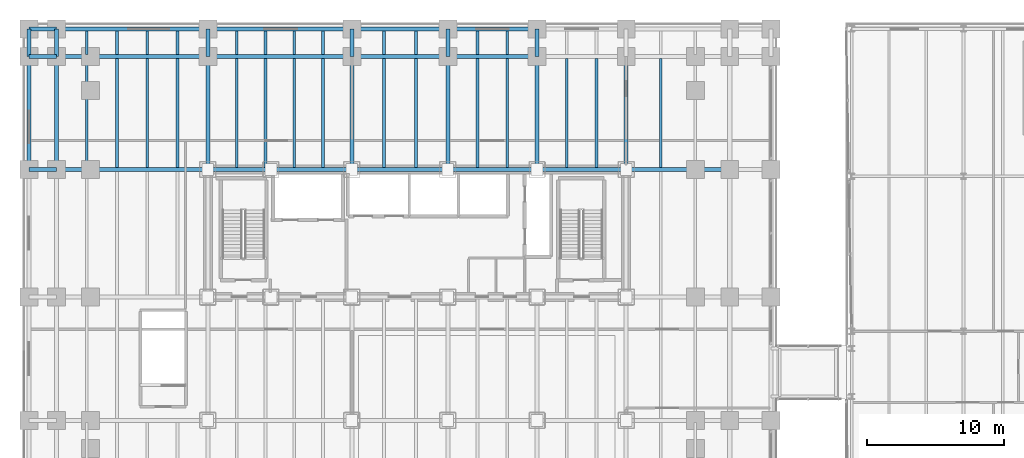
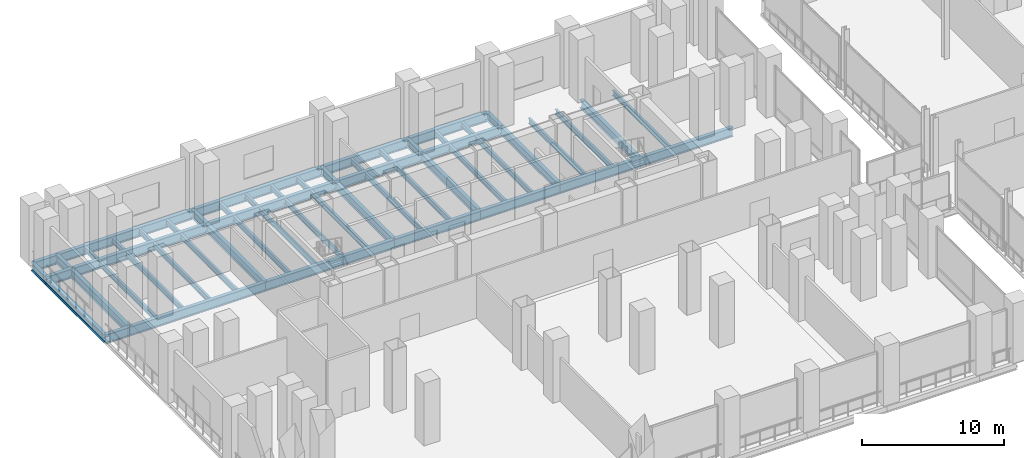
# One storey, part 17 of 30: 57 beams.
"""IFC4 building model written with IfcOpenShell, lengths in metres."""

from ifc_helpers import new_model, si_unit, direction, frame, origin, origin_2d, place, context, subcontext, project, spatial, i_section, extrude, material, material_profile, profile_set, type_object, element, save


model = new_model("IFC4")

# Units and contexts
model_context = context("Model", 3, precision=1e-05, world=origin(), true_north=direction((0.0, 1.0)))
body_context = subcontext(model_context, "Body", "Model", "MODEL_VIEW")
ifc_project = project(units=[si_unit("LENGTHUNIT", "METRE"), si_unit("AREAUNIT", "SQUARE_METRE"), si_unit("VOLUMEUNIT", "CUBIC_METRE"), si_unit("PLANEANGLEUNIT", "RADIAN"), si_unit("MASSUNIT", "GRAM", prefix="KILO")], contexts=[model_context])

# Site, building, storey
site_placement = place(None, origin())
site = spatial("IfcSite", under=ifc_project, at=site_placement, CompositionType="ELEMENT")
building_placement = place(site_placement, origin())
building = spatial("IfcBuilding", under=site, at=building_placement, Name="Noeulbin Bourse Tower", CompositionType="ELEMENT")
storey_placement = place(building_placement, frame((0.0, 0.0, 16.60009765625)))
storey = spatial("IfcBuildingStorey", under=building, at=storey_placement, Name="L04", CompositionType="ELEMENT", Elevation=16.60009765625)

# Beams
ifc_material = material(Name="Steel S355", Category="steel")
ifc_material_profile_1 = material_profile(ifc_material, i_section(OverallWidth=0.300048828125, OverallDepth=0.699951171875, WebThickness=0.012939453125, FlangeThickness=0.02392578125, FilletRadius=0.02392578125, at=origin_2d()), Name="H-700x300x13x24", Category="LoadBearing")
ifc_profile_set_1 = profile_set([ifc_material_profile_1], Name="Steel S355")
beam_type_1 = type_object("IfcBeamType", Name="BM-GRD-700", PredefinedType="USERDEFINED", material=ifc_profile_set_1)
beam_1_placement = place(storey_placement, frame((0.449951171875, 38.300048828125, -0.60009765625), z_axis=(0.0, 1.0, 0.0), x_axis=(-1.0, 0.0, 0.0)))
element("IfcBeam", 1, at=beam_1_placement, inside=storey, type_object=beam_type_1, Name="Podium Primary Girder NS L04-061", ObjectType="GIRDER", PredefinedType="USERDEFINED", context=body_context, shape_type="SweptSolid", body=[
    extrude(i_section(OverallWidth=0.300048828125, OverallDepth=0.699951171875, WebThickness=0.012939453125, FlangeThickness=0.02392578125, FilletRadius=0.02392578125, at=origin_2d()), origin(), (0.0, 0.0, 1.0), 8.25),
])
beam_2_placement = place(storey_placement, frame((0.449951171875, 46.550048828125, -0.60009765625), z_axis=(0.0, 1.0, 0.0), x_axis=(-1.0, 0.0, 0.0)))
element("IfcBeam", 2, at=beam_2_placement, inside=storey, type_object=beam_type_1, Name="Podium Primary Girder NS L04-062", ObjectType="GIRDER", PredefinedType="USERDEFINED", context=body_context, shape_type="SweptSolid", body=[
    extrude(i_section(OverallWidth=0.300048828125, OverallDepth=0.699951171875, WebThickness=0.012939453125, FlangeThickness=0.02392578125, FilletRadius=0.02392578125, at=origin_2d()), origin(), (0.0, 0.0, 1.0), 2.0),
])
beam_3_placement = place(storey_placement, frame((2.449951171875, 38.300048828125, -0.60009765625), z_axis=(0.0, 1.0, 0.0), x_axis=(-1.0, 0.0, 0.0)))
element("IfcBeam", 3, at=beam_3_placement, inside=storey, type_object=beam_type_1, Name="Podium Primary Girder NS L04-067", ObjectType="GIRDER", PredefinedType="USERDEFINED", context=body_context, shape_type="SweptSolid", body=[
    extrude(i_section(OverallWidth=0.300048828125, OverallDepth=0.699951171875, WebThickness=0.012939453125, FlangeThickness=0.02392578125, FilletRadius=0.02392578125, at=origin_2d()), origin(), (0.0, 0.0, 1.0), 8.25),
])
beam_4_placement = place(storey_placement, frame((2.449951171875, 46.550048828125, -0.60009765625), z_axis=(0.0, 1.0, 0.0), x_axis=(-1.0, 0.0, 0.0)))
element("IfcBeam", 4, at=beam_4_placement, inside=storey, type_object=beam_type_1, Name="Podium Primary Girder NS L04-068", ObjectType="GIRDER", PredefinedType="USERDEFINED", context=body_context, shape_type="SweptSolid", body=[
    extrude(i_section(OverallWidth=0.300048828125, OverallDepth=0.699951171875, WebThickness=0.012939453125, FlangeThickness=0.02392578125, FilletRadius=0.02392578125, at=origin_2d()), origin(), (0.0, 0.0, 1.0), 2.0),
])
beam_5_placement = place(storey_placement, frame((13.5, 38.300048828125, -0.60009765625), z_axis=(0.0, 1.0, 0.0), x_axis=(-1.0, 0.0, 0.0)))
element("IfcBeam", 5, at=beam_5_placement, inside=storey, type_object=beam_type_1, Name="Podium Primary Girder NS L04-073", ObjectType="GIRDER", PredefinedType="USERDEFINED", context=body_context, shape_type="SweptSolid", body=[
    extrude(i_section(OverallWidth=0.300048828125, OverallDepth=0.699951171875, WebThickness=0.012939453125, FlangeThickness=0.02392578125, FilletRadius=0.02392578125, at=origin_2d()), origin(), (0.0, 0.0, 1.0), 8.25),
])
beam_6_placement = place(storey_placement, frame((13.5, 46.550048828125, -0.60009765625), z_axis=(0.0, 1.0, 0.0), x_axis=(-1.0, 0.0, 0.0)))
element("IfcBeam", 6, at=beam_6_placement, inside=storey, type_object=beam_type_1, Name="Podium Primary Girder NS L04-074", ObjectType="GIRDER", PredefinedType="USERDEFINED", context=body_context, shape_type="SweptSolid", body=[
    extrude(i_section(OverallWidth=0.300048828125, OverallDepth=0.699951171875, WebThickness=0.012939453125, FlangeThickness=0.02392578125, FilletRadius=0.02392578125, at=origin_2d()), origin(), (0.0, 0.0, 1.0), 2.0),
])
beam_7_placement = place(storey_placement, frame((24.0, 38.300048828125, -0.60009765625), z_axis=(0.0, 1.0, 0.0), x_axis=(-1.0, 0.0, 0.0)))
element("IfcBeam", 7, at=beam_7_placement, inside=storey, type_object=beam_type_1, Name="Podium Primary Girder NS L04-078", ObjectType="GIRDER", PredefinedType="USERDEFINED", context=body_context, shape_type="SweptSolid", body=[
    extrude(i_section(OverallWidth=0.300048828125, OverallDepth=0.699951171875, WebThickness=0.012939453125, FlangeThickness=0.02392578125, FilletRadius=0.02392578125, at=origin_2d()), origin(), (0.0, 0.0, 1.0), 8.25),
])
beam_8_placement = place(storey_placement, frame((24.0, 46.550048828125, -0.60009765625), z_axis=(0.0, 1.0, 0.0), x_axis=(-1.0, 0.0, 0.0)))
element("IfcBeam", 8, at=beam_8_placement, inside=storey, type_object=beam_type_1, Name="Podium Primary Girder NS L04-079", ObjectType="GIRDER", PredefinedType="USERDEFINED", context=body_context, shape_type="SweptSolid", body=[
    extrude(i_section(OverallWidth=0.300048828125, OverallDepth=0.699951171875, WebThickness=0.012939453125, FlangeThickness=0.02392578125, FilletRadius=0.02392578125, at=origin_2d()), origin(), (0.0, 0.0, 1.0), 2.0),
])
beam_9_placement = place(storey_placement, frame((31.0, 38.300048828125, -0.60009765625), z_axis=(0.0, 1.0, 0.0), x_axis=(-1.0, 0.0, 0.0)))
element("IfcBeam", 9, at=beam_9_placement, inside=storey, type_object=beam_type_1, Name="Podium Primary Girder NS L04-083", ObjectType="GIRDER", PredefinedType="USERDEFINED", context=body_context, shape_type="SweptSolid", body=[
    extrude(i_section(OverallWidth=0.300048828125, OverallDepth=0.699951171875, WebThickness=0.012939453125, FlangeThickness=0.02392578125, FilletRadius=0.02392578125, at=origin_2d()), origin(), (0.0, 0.0, 1.0), 8.25),
])
beam_10_placement = place(storey_placement, frame((31.0, 46.550048828125, -0.60009765625), z_axis=(0.0, 1.0, 0.0), x_axis=(-1.0, 0.0, 0.0)))
element("IfcBeam", 10, at=beam_10_placement, inside=storey, type_object=beam_type_1, Name="Podium Primary Girder NS L04-084", ObjectType="GIRDER", PredefinedType="USERDEFINED", context=body_context, shape_type="SweptSolid", body=[
    extrude(i_section(OverallWidth=0.300048828125, OverallDepth=0.699951171875, WebThickness=0.012939453125, FlangeThickness=0.02392578125, FilletRadius=0.02392578125, at=origin_2d()), origin(), (0.0, 0.0, 1.0), 2.0),
])
beam_11_placement = place(storey_placement, frame((37.5, 38.300048828125, -0.60009765625), z_axis=(0.0, 1.0, 0.0), x_axis=(-1.0, 0.0, 0.0)))
element("IfcBeam", 11, at=beam_11_placement, inside=storey, type_object=beam_type_1, Name="Podium Primary Girder NS L04-088", ObjectType="GIRDER", PredefinedType="USERDEFINED", context=body_context, shape_type="SweptSolid", body=[
    extrude(i_section(OverallWidth=0.300048828125, OverallDepth=0.699951171875, WebThickness=0.012939453125, FlangeThickness=0.02392578125, FilletRadius=0.02392578125, at=origin_2d()), origin(), (0.0, 0.0, 1.0), 8.25),
])
beam_12_placement = place(storey_placement, frame((37.5, 46.550048828125, -0.60009765625), z_axis=(0.0, 1.0, 0.0), x_axis=(-1.0, 0.0, 0.0)))
element("IfcBeam", 12, at=beam_12_placement, inside=storey, type_object=beam_type_1, Name="Podium Primary Girder NS L04-089", ObjectType="GIRDER", PredefinedType="USERDEFINED", context=body_context, shape_type="SweptSolid", body=[
    extrude(i_section(OverallWidth=0.300048828125, OverallDepth=0.699951171875, WebThickness=0.012939453125, FlangeThickness=0.02392578125, FilletRadius=0.02392578125, at=origin_2d()), origin(), (0.0, 0.0, 1.0), 2.0),
])
beam_13_placement = place(storey_placement, frame((44.0, 38.300048828125, -0.60009765625), z_axis=(0.0, 1.0, 0.0), x_axis=(-1.0, 0.0, 0.0)))
element("IfcBeam", 13, at=beam_13_placement, inside=storey, type_object=beam_type_1, Name="Podium Primary Girder NS L04-094", ObjectType="GIRDER", PredefinedType="USERDEFINED", context=body_context, shape_type="SweptSolid", body=[
    extrude(i_section(OverallWidth=0.300048828125, OverallDepth=0.699951171875, WebThickness=0.012939453125, FlangeThickness=0.02392578125, FilletRadius=0.02392578125, at=origin_2d()), origin(), (0.0, 0.0, 1.0), 8.25),
])
ifc_material_profile_2 = material_profile(ifc_material, i_section(OverallWidth=0.300048828125, OverallDepth=0.800048828125, WebThickness=0.013916015625, FlangeThickness=0.02587890625, FilletRadius=0.02587890625, at=origin_2d()), Name="H-800x300x14x26", Category="LoadBearing")
ifc_profile_set_2 = profile_set([ifc_material_profile_2], Name="Steel S355")
beam_type_2 = type_object("IfcBeamType", Name="BM-GRD-800", PredefinedType="USERDEFINED", material=ifc_profile_set_2)
beam_14_placement = place(storey_placement, frame((0.449951171875, 38.300048828125, -0.650146484375), z_axis=(1.0, 0.0, 0.0), x_axis=(0.0, 1.0, 0.0)))
element("IfcBeam", 14, at=beam_14_placement, inside=storey, type_object=beam_type_2, Name="Podium Primary Girder EW L04-033", ObjectType="GIRDER", PredefinedType="USERDEFINED", context=body_context, shape_type="SweptSolid", body=[
    extrude(i_section(OverallWidth=0.300048828125, OverallDepth=0.800048828125, WebThickness=0.013916015625, FlangeThickness=0.02587890625, FilletRadius=0.02587890625, at=origin_2d()), origin(), (0.0, 0.0, 1.0), 2.0),
])
beam_15_placement = place(storey_placement, frame((2.449951171875, 38.300048828125, -0.650146484375), z_axis=(1.0, 0.0, 0.0), x_axis=(0.0, 1.0, 0.0)))
element("IfcBeam", 15, at=beam_15_placement, inside=storey, type_object=beam_type_2, Name="Podium Primary Girder EW L04-034", ObjectType="GIRDER", PredefinedType="USERDEFINED", context=body_context, shape_type="SweptSolid", body=[
    extrude(i_section(OverallWidth=0.300048828125, OverallDepth=0.800048828125, WebThickness=0.013916015625, FlangeThickness=0.02587890625, FilletRadius=0.02587890625, at=origin_2d()), origin(), (0.0, 0.0, 1.0), 11.050048828125),
])
beam_16_placement = place(storey_placement, frame((13.5, 38.300048828125, -0.650146484375), z_axis=(1.0, 0.0, 0.0), x_axis=(0.0, 1.0, 0.0)))
element("IfcBeam", 16, at=beam_16_placement, inside=storey, type_object=beam_type_2, Name="Podium Primary Girder EW L04-035", ObjectType="GIRDER", PredefinedType="USERDEFINED", context=body_context, shape_type="SweptSolid", body=[
    extrude(i_section(OverallWidth=0.300048828125, OverallDepth=0.800048828125, WebThickness=0.013916015625, FlangeThickness=0.02587890625, FilletRadius=0.02587890625, at=origin_2d()), origin(), (0.0, 0.0, 1.0), 10.5),
])
beam_17_placement = place(storey_placement, frame((24.0, 38.300048828125, -0.650146484375), z_axis=(1.0, 0.0, 0.0), x_axis=(0.0, 1.0, 0.0)))
element("IfcBeam", 17, at=beam_17_placement, inside=storey, type_object=beam_type_2, Name="Podium Primary Girder EW L04-036", ObjectType="GIRDER", PredefinedType="USERDEFINED", context=body_context, shape_type="SweptSolid", body=[
    extrude(i_section(OverallWidth=0.300048828125, OverallDepth=0.800048828125, WebThickness=0.013916015625, FlangeThickness=0.02587890625, FilletRadius=0.02587890625, at=origin_2d()), origin(), (0.0, 0.0, 1.0), 7.0),
])
for number, where, z_axis, x_axis, name in (
    (18, (31.0, 38.300048828125, -0.650146484375), (1.0, 0.0, 0.0), (0.0, 1.0, 0.0), "Podium Primary Girder EW L04-037"),
    (19, (37.5, 38.300048828125, -0.650146484375), (1.0, 0.0, 0.0), (0.0, 1.0, 0.0), "Podium Primary Girder EW L04-038"),
):
    element("IfcBeam", number, at=place(storey_placement, frame(where, z_axis=z_axis, x_axis=x_axis)), inside=storey, type_object=beam_type_2, Name=name, ObjectType="GIRDER", PredefinedType="USERDEFINED", context=body_context, shape_type="SweptSolid", body=[
        extrude(i_section(OverallWidth=0.300048828125, OverallDepth=0.800048828125, WebThickness=0.013916015625, FlangeThickness=0.02587890625, FilletRadius=0.02587890625, at=origin_2d()), origin(), (0.0, 0.0, 1.0), 6.5),
    ])
beam_18_placement = place(storey_placement, frame((44.0, 38.300048828125, -0.650146484375), z_axis=(1.0, 0.0, 0.0), x_axis=(0.0, 1.0, 0.0)))
element("IfcBeam", 20, at=beam_18_placement, inside=storey, type_object=beam_type_2, Name="Podium Primary Girder EW L04-039", ObjectType="GIRDER", PredefinedType="USERDEFINED", context=body_context, shape_type="SweptSolid", body=[
    extrude(i_section(OverallWidth=0.300048828125, OverallDepth=0.800048828125, WebThickness=0.013916015625, FlangeThickness=0.02587890625, FilletRadius=0.02587890625, at=origin_2d()), origin(), (0.0, 0.0, 1.0), 7.550048828125),
])
beam_19_placement = place(storey_placement, frame((0.449951171875, 46.550048828125, -0.650146484375), z_axis=(1.0, 0.0, 0.0), x_axis=(0.0, 1.0, 0.0)))
element("IfcBeam", 21, at=beam_19_placement, inside=storey, type_object=beam_type_2, Name="Podium Primary Girder EW L04-041", ObjectType="GIRDER", PredefinedType="USERDEFINED", context=body_context, shape_type="SweptSolid", body=[
    extrude(i_section(OverallWidth=0.300048828125, OverallDepth=0.800048828125, WebThickness=0.013916015625, FlangeThickness=0.02587890625, FilletRadius=0.02587890625, at=origin_2d()), origin(), (0.0, 0.0, 1.0), 2.0),
])
beam_20_placement = place(storey_placement, frame((2.449951171875, 46.550048828125, -0.650146484375), z_axis=(1.0, 0.0, 0.0), x_axis=(0.0, 1.0, 0.0)))
element("IfcBeam", 22, at=beam_20_placement, inside=storey, type_object=beam_type_2, Name="Podium Primary Girder EW L04-042", ObjectType="GIRDER", PredefinedType="USERDEFINED", context=body_context, shape_type="SweptSolid", body=[
    extrude(i_section(OverallWidth=0.300048828125, OverallDepth=0.800048828125, WebThickness=0.013916015625, FlangeThickness=0.02587890625, FilletRadius=0.02587890625, at=origin_2d()), origin(), (0.0, 0.0, 1.0), 11.050048828125),
])
beam_21_placement = place(storey_placement, frame((13.5, 46.550048828125, -0.650146484375), z_axis=(1.0, 0.0, 0.0), x_axis=(0.0, 1.0, 0.0)))
element("IfcBeam", 23, at=beam_21_placement, inside=storey, type_object=beam_type_2, Name="Podium Primary Girder EW L04-043", ObjectType="GIRDER", PredefinedType="USERDEFINED", context=body_context, shape_type="SweptSolid", body=[
    extrude(i_section(OverallWidth=0.300048828125, OverallDepth=0.800048828125, WebThickness=0.013916015625, FlangeThickness=0.02587890625, FilletRadius=0.02587890625, at=origin_2d()), origin(), (0.0, 0.0, 1.0), 10.5),
])
beam_22_placement = place(storey_placement, frame((24.0, 46.550048828125, -0.650146484375), z_axis=(1.0, 0.0, 0.0), x_axis=(0.0, 1.0, 0.0)))
element("IfcBeam", 24, at=beam_22_placement, inside=storey, type_object=beam_type_2, Name="Podium Primary Girder EW L04-044", ObjectType="GIRDER", PredefinedType="USERDEFINED", context=body_context, shape_type="SweptSolid", body=[
    extrude(i_section(OverallWidth=0.300048828125, OverallDepth=0.800048828125, WebThickness=0.013916015625, FlangeThickness=0.02587890625, FilletRadius=0.02587890625, at=origin_2d()), origin(), (0.0, 0.0, 1.0), 7.0),
])
beam_23_placement = place(storey_placement, frame((31.0, 46.550048828125, -0.650146484375), z_axis=(1.0, 0.0, 0.0), x_axis=(0.0, 1.0, 0.0)))
element("IfcBeam", 25, at=beam_23_placement, inside=storey, type_object=beam_type_2, Name="Podium Primary Girder EW L04-045", ObjectType="GIRDER", PredefinedType="USERDEFINED", context=body_context, shape_type="SweptSolid", body=[
    extrude(i_section(OverallWidth=0.300048828125, OverallDepth=0.800048828125, WebThickness=0.013916015625, FlangeThickness=0.02587890625, FilletRadius=0.02587890625, at=origin_2d()), origin(), (0.0, 0.0, 1.0), 6.5),
])
beam_24_placement = place(storey_placement, frame((0.449951171875, 48.550048828125, -0.650146484375), z_axis=(1.0, 0.0, 0.0), x_axis=(0.0, 1.0, 0.0)))
element("IfcBeam", 26, at=beam_24_placement, inside=storey, type_object=beam_type_2, Name="Podium Primary Girder EW L04-049", ObjectType="GIRDER", PredefinedType="USERDEFINED", context=body_context, shape_type="SweptSolid", body=[
    extrude(i_section(OverallWidth=0.300048828125, OverallDepth=0.800048828125, WebThickness=0.013916015625, FlangeThickness=0.02587890625, FilletRadius=0.02587890625, at=origin_2d()), origin(), (0.0, 0.0, 1.0), 2.0),
])
beam_25_placement = place(storey_placement, frame((2.449951171875, 48.550048828125, -0.650146484375), z_axis=(1.0, 0.0, 0.0), x_axis=(0.0, 1.0, 0.0)))
element("IfcBeam", 27, at=beam_25_placement, inside=storey, type_object=beam_type_2, Name="Podium Primary Girder EW L04-050", ObjectType="GIRDER", PredefinedType="USERDEFINED", context=body_context, shape_type="SweptSolid", body=[
    extrude(i_section(OverallWidth=0.300048828125, OverallDepth=0.800048828125, WebThickness=0.013916015625, FlangeThickness=0.02587890625, FilletRadius=0.02587890625, at=origin_2d()), origin(), (0.0, 0.0, 1.0), 11.050048828125),
])
beam_26_placement = place(storey_placement, frame((13.5, 48.550048828125, -0.650146484375), z_axis=(1.0, 0.0, 0.0), x_axis=(0.0, 1.0, 0.0)))
element("IfcBeam", 28, at=beam_26_placement, inside=storey, type_object=beam_type_2, Name="Podium Primary Girder EW L04-051", ObjectType="GIRDER", PredefinedType="USERDEFINED", context=body_context, shape_type="SweptSolid", body=[
    extrude(i_section(OverallWidth=0.300048828125, OverallDepth=0.800048828125, WebThickness=0.013916015625, FlangeThickness=0.02587890625, FilletRadius=0.02587890625, at=origin_2d()), origin(), (0.0, 0.0, 1.0), 10.5),
])
beam_27_placement = place(storey_placement, frame((24.0, 48.550048828125, -0.650146484375), z_axis=(1.0, 0.0, 0.0), x_axis=(0.0, 1.0, 0.0)))
element("IfcBeam", 29, at=beam_27_placement, inside=storey, type_object=beam_type_2, Name="Podium Primary Girder EW L04-052", ObjectType="GIRDER", PredefinedType="USERDEFINED", context=body_context, shape_type="SweptSolid", body=[
    extrude(i_section(OverallWidth=0.300048828125, OverallDepth=0.800048828125, WebThickness=0.013916015625, FlangeThickness=0.02587890625, FilletRadius=0.02587890625, at=origin_2d()), origin(), (0.0, 0.0, 1.0), 7.0),
])
beam_28_placement = place(storey_placement, frame((31.0, 48.550048828125, -0.650146484375), z_axis=(1.0, 0.0, 0.0), x_axis=(0.0, 1.0, 0.0)))
element("IfcBeam", 30, at=beam_28_placement, inside=storey, type_object=beam_type_2, Name="Podium Primary Girder EW L04-053", ObjectType="GIRDER", PredefinedType="USERDEFINED", context=body_context, shape_type="SweptSolid", body=[
    extrude(i_section(OverallWidth=0.300048828125, OverallDepth=0.800048828125, WebThickness=0.013916015625, FlangeThickness=0.02587890625, FilletRadius=0.02587890625, at=origin_2d()), origin(), (0.0, 0.0, 1.0), 6.5),
])
ifc_material_profile_3 = material_profile(ifc_material, i_section(OverallWidth=0.199951171875, OverallDepth=0.449951171875, WebThickness=0.009033203125, FlangeThickness=0.013916015625, FilletRadius=0.01806640625, at=origin_2d()), Name="H-450x200x9x14", Category="LoadBearing")
ifc_profile_set_3 = profile_set([ifc_material_profile_3], Name="Steel S355")
beam_type_3 = type_object("IfcBeamType", Name="BM-SEC-450", PredefinedType="BEAM", material=ifc_profile_set_3)
beam_29_placement = place(storey_placement, frame((4.659912109375, 38.449951171875, -0.47509765625), z_axis=(0.0, 1.0, 0.0), x_axis=(-1.0, 0.0, 0.0)))
element("IfcBeam", 31, at=beam_29_placement, inside=storey, type_object=beam_type_3, Name="Podium Secondary Beam L04-005", PredefinedType="BEAM", context=body_context, shape_type="SweptSolid", body=[
    extrude(i_section(OverallWidth=0.199951171875, OverallDepth=0.449951171875, WebThickness=0.009033203125, FlangeThickness=0.013916015625, FilletRadius=0.01806640625, at=origin_2d()), origin(), (0.0, 0.0, 1.0), 7.949951171875),
])
beam_30_placement = place(storey_placement, frame((4.659912109375, 46.699951171875, -0.47509765625), z_axis=(0.0, 1.0, 0.0), x_axis=(-1.0, 0.0, 0.0)))
element("IfcBeam", 32, at=beam_30_placement, inside=storey, type_object=beam_type_3, Name="Podium Secondary Beam L04-006", PredefinedType="BEAM", context=body_context, shape_type="SweptSolid", body=[
    extrude(i_section(OverallWidth=0.199951171875, OverallDepth=0.449951171875, WebThickness=0.009033203125, FlangeThickness=0.013916015625, FilletRadius=0.01806640625, at=origin_2d()), origin(), (0.0, 0.0, 1.0), 1.699951171875),
])
beam_31_placement = place(storey_placement, frame((6.8701171875, 38.449951171875, -0.47509765625), z_axis=(0.0, 1.0, 0.0), x_axis=(-1.0, 0.0, 0.0)))
element("IfcBeam", 33, at=beam_31_placement, inside=storey, type_object=beam_type_3, Name="Podium Secondary Beam L04-011", PredefinedType="BEAM", context=body_context, shape_type="SweptSolid", body=[
    extrude(i_section(OverallWidth=0.199951171875, OverallDepth=0.449951171875, WebThickness=0.009033203125, FlangeThickness=0.013916015625, FilletRadius=0.01806640625, at=origin_2d()), origin(), (0.0, 0.0, 1.0), 7.949951171875),
])
beam_32_placement = place(storey_placement, frame((6.8701171875, 46.699951171875, -0.47509765625), z_axis=(0.0, 1.0, 0.0), x_axis=(-1.0, 0.0, 0.0)))
element("IfcBeam", 34, at=beam_32_placement, inside=storey, type_object=beam_type_3, Name="Podium Secondary Beam L04-012", PredefinedType="BEAM", context=body_context, shape_type="SweptSolid", body=[
    extrude(i_section(OverallWidth=0.199951171875, OverallDepth=0.449951171875, WebThickness=0.009033203125, FlangeThickness=0.013916015625, FilletRadius=0.01806640625, at=origin_2d()), origin(), (0.0, 0.0, 1.0), 1.699951171875),
])
beam_33_placement = place(storey_placement, frame((9.080078125, 38.449951171875, -0.47509765625), z_axis=(0.0, 1.0, 0.0), x_axis=(-1.0, 0.0, 0.0)))
element("IfcBeam", 35, at=beam_33_placement, inside=storey, type_object=beam_type_3, Name="Podium Secondary Beam L04-016", PredefinedType="BEAM", context=body_context, shape_type="SweptSolid", body=[
    extrude(i_section(OverallWidth=0.199951171875, OverallDepth=0.449951171875, WebThickness=0.009033203125, FlangeThickness=0.013916015625, FilletRadius=0.01806640625, at=origin_2d()), origin(), (0.0, 0.0, 1.0), 7.949951171875),
])
beam_34_placement = place(storey_placement, frame((9.080078125, 46.699951171875, -0.47509765625), z_axis=(0.0, 1.0, 0.0), x_axis=(-1.0, 0.0, 0.0)))
element("IfcBeam", 36, at=beam_34_placement, inside=storey, type_object=beam_type_3, Name="Podium Secondary Beam L04-017", PredefinedType="BEAM", context=body_context, shape_type="SweptSolid", body=[
    extrude(i_section(OverallWidth=0.199951171875, OverallDepth=0.449951171875, WebThickness=0.009033203125, FlangeThickness=0.013916015625, FilletRadius=0.01806640625, at=origin_2d()), origin(), (0.0, 0.0, 1.0), 1.699951171875),
])
beam_35_placement = place(storey_placement, frame((11.2900390625, 38.449951171875, -0.47509765625), z_axis=(0.0, 1.0, 0.0), x_axis=(-1.0, 0.0, 0.0)))
element("IfcBeam", 37, at=beam_35_placement, inside=storey, type_object=beam_type_3, Name="Podium Secondary Beam L04-021", PredefinedType="BEAM", context=body_context, shape_type="SweptSolid", body=[
    extrude(i_section(OverallWidth=0.199951171875, OverallDepth=0.449951171875, WebThickness=0.009033203125, FlangeThickness=0.013916015625, FilletRadius=0.01806640625, at=origin_2d()), origin(), (0.0, 0.0, 1.0), 7.949951171875),
])
beam_36_placement = place(storey_placement, frame((11.2900390625, 46.699951171875, -0.47509765625), z_axis=(0.0, 1.0, 0.0), x_axis=(-1.0, 0.0, 0.0)))
element("IfcBeam", 38, at=beam_36_placement, inside=storey, type_object=beam_type_3, Name="Podium Secondary Beam L04-022", PredefinedType="BEAM", context=body_context, shape_type="SweptSolid", body=[
    extrude(i_section(OverallWidth=0.199951171875, OverallDepth=0.449951171875, WebThickness=0.009033203125, FlangeThickness=0.013916015625, FilletRadius=0.01806640625, at=origin_2d()), origin(), (0.0, 0.0, 1.0), 1.699951171875),
])
beam_37_placement = place(storey_placement, frame((15.60009765625, 38.449951171875, -0.47509765625), z_axis=(0.0, 1.0, 0.0), x_axis=(-1.0, 0.0, 0.0)))
element("IfcBeam", 39, at=beam_37_placement, inside=storey, type_object=beam_type_3, Name="Podium Secondary Beam L04-026", PredefinedType="BEAM", context=body_context, shape_type="SweptSolid", body=[
    extrude(i_section(OverallWidth=0.199951171875, OverallDepth=0.449951171875, WebThickness=0.009033203125, FlangeThickness=0.013916015625, FilletRadius=0.01806640625, at=origin_2d()), origin(), (0.0, 0.0, 1.0), 7.949951171875),
])
beam_38_placement = place(storey_placement, frame((15.60009765625, 46.699951171875, -0.47509765625), z_axis=(0.0, 1.0, 0.0), x_axis=(-1.0, 0.0, 0.0)))
element("IfcBeam", 40, at=beam_38_placement, inside=storey, type_object=beam_type_3, Name="Podium Secondary Beam L04-027", PredefinedType="BEAM", context=body_context, shape_type="SweptSolid", body=[
    extrude(i_section(OverallWidth=0.199951171875, OverallDepth=0.449951171875, WebThickness=0.009033203125, FlangeThickness=0.013916015625, FilletRadius=0.01806640625, at=origin_2d()), origin(), (0.0, 0.0, 1.0), 1.699951171875),
])
beam_39_placement = place(storey_placement, frame((17.699951171875, 38.449951171875, -0.47509765625), z_axis=(0.0, 1.0, 0.0), x_axis=(-1.0, 0.0, 0.0)))
element("IfcBeam", 41, at=beam_39_placement, inside=storey, type_object=beam_type_3, Name="Podium Secondary Beam L04-031", PredefinedType="BEAM", context=body_context, shape_type="SweptSolid", body=[
    extrude(i_section(OverallWidth=0.199951171875, OverallDepth=0.449951171875, WebThickness=0.009033203125, FlangeThickness=0.013916015625, FilletRadius=0.01806640625, at=origin_2d()), origin(), (0.0, 0.0, 1.0), 7.949951171875),
])
beam_40_placement = place(storey_placement, frame((17.699951171875, 46.699951171875, -0.47509765625), z_axis=(0.0, 1.0, 0.0), x_axis=(-1.0, 0.0, 0.0)))
element("IfcBeam", 42, at=beam_40_placement, inside=storey, type_object=beam_type_3, Name="Podium Secondary Beam L04-032", PredefinedType="BEAM", context=body_context, shape_type="SweptSolid", body=[
    extrude(i_section(OverallWidth=0.199951171875, OverallDepth=0.449951171875, WebThickness=0.009033203125, FlangeThickness=0.013916015625, FilletRadius=0.01806640625, at=origin_2d()), origin(), (0.0, 0.0, 1.0), 1.699951171875),
])
beam_41_placement = place(storey_placement, frame((19.800048828125, 38.449951171875, -0.47509765625), z_axis=(0.0, 1.0, 0.0), x_axis=(-1.0, 0.0, 0.0)))
element("IfcBeam", 43, at=beam_41_placement, inside=storey, type_object=beam_type_3, Name="Podium Secondary Beam L04-036", PredefinedType="BEAM", context=body_context, shape_type="SweptSolid", body=[
    extrude(i_section(OverallWidth=0.199951171875, OverallDepth=0.449951171875, WebThickness=0.009033203125, FlangeThickness=0.013916015625, FilletRadius=0.01806640625, at=origin_2d()), origin(), (0.0, 0.0, 1.0), 7.949951171875),
])
beam_42_placement = place(storey_placement, frame((19.800048828125, 46.699951171875, -0.47509765625), z_axis=(0.0, 1.0, 0.0), x_axis=(-1.0, 0.0, 0.0)))
element("IfcBeam", 44, at=beam_42_placement, inside=storey, type_object=beam_type_3, Name="Podium Secondary Beam L04-037", PredefinedType="BEAM", context=body_context, shape_type="SweptSolid", body=[
    extrude(i_section(OverallWidth=0.199951171875, OverallDepth=0.449951171875, WebThickness=0.009033203125, FlangeThickness=0.013916015625, FilletRadius=0.01806640625, at=origin_2d()), origin(), (0.0, 0.0, 1.0), 1.699951171875),
])
beam_43_placement = place(storey_placement, frame((21.89990234375, 38.449951171875, -0.47509765625), z_axis=(0.0, 1.0, 0.0), x_axis=(-1.0, 0.0, 0.0)))
element("IfcBeam", 45, at=beam_43_placement, inside=storey, type_object=beam_type_3, Name="Podium Secondary Beam L04-041", PredefinedType="BEAM", context=body_context, shape_type="SweptSolid", body=[
    extrude(i_section(OverallWidth=0.199951171875, OverallDepth=0.449951171875, WebThickness=0.009033203125, FlangeThickness=0.013916015625, FilletRadius=0.01806640625, at=origin_2d()), origin(), (0.0, 0.0, 1.0), 7.949951171875),
])
beam_44_placement = place(storey_placement, frame((21.89990234375, 46.699951171875, -0.47509765625), z_axis=(0.0, 1.0, 0.0), x_axis=(-1.0, 0.0, 0.0)))
element("IfcBeam", 46, at=beam_44_placement, inside=storey, type_object=beam_type_3, Name="Podium Secondary Beam L04-042", PredefinedType="BEAM", context=body_context, shape_type="SweptSolid", body=[
    extrude(i_section(OverallWidth=0.199951171875, OverallDepth=0.449951171875, WebThickness=0.009033203125, FlangeThickness=0.013916015625, FilletRadius=0.01806640625, at=origin_2d()), origin(), (0.0, 0.0, 1.0), 1.699951171875),
])
beam_45_placement = place(storey_placement, frame((26.333251953125, 38.449951171875, -0.47509765625), z_axis=(0.0, 1.0, 0.0), x_axis=(-1.0, 0.0, 0.0)))
element("IfcBeam", 47, at=beam_45_placement, inside=storey, type_object=beam_type_3, Name="Podium Secondary Beam L04-046", PredefinedType="BEAM", context=body_context, shape_type="SweptSolid", body=[
    extrude(i_section(OverallWidth=0.199951171875, OverallDepth=0.449951171875, WebThickness=0.009033203125, FlangeThickness=0.013916015625, FilletRadius=0.01806640625, at=origin_2d()), origin(), (0.0, 0.0, 1.0), 7.949951171875),
])
beam_46_placement = place(storey_placement, frame((26.333251953125, 46.699951171875, -0.47509765625), z_axis=(0.0, 1.0, 0.0), x_axis=(-1.0, 0.0, 0.0)))
element("IfcBeam", 48, at=beam_46_placement, inside=storey, type_object=beam_type_3, Name="Podium Secondary Beam L04-047", PredefinedType="BEAM", context=body_context, shape_type="SweptSolid", body=[
    extrude(i_section(OverallWidth=0.199951171875, OverallDepth=0.449951171875, WebThickness=0.009033203125, FlangeThickness=0.013916015625, FilletRadius=0.01806640625, at=origin_2d()), origin(), (0.0, 0.0, 1.0), 1.699951171875),
])
beam_47_placement = place(storey_placement, frame((28.666748046875, 38.449951171875, -0.47509765625), z_axis=(0.0, 1.0, 0.0), x_axis=(-1.0, 0.0, 0.0)))
element("IfcBeam", 49, at=beam_47_placement, inside=storey, type_object=beam_type_3, Name="Podium Secondary Beam L04-051", PredefinedType="BEAM", context=body_context, shape_type="SweptSolid", body=[
    extrude(i_section(OverallWidth=0.199951171875, OverallDepth=0.449951171875, WebThickness=0.009033203125, FlangeThickness=0.013916015625, FilletRadius=0.01806640625, at=origin_2d()), origin(), (0.0, 0.0, 1.0), 7.949951171875),
])
beam_48_placement = place(storey_placement, frame((28.666748046875, 46.699951171875, -0.47509765625), z_axis=(0.0, 1.0, 0.0), x_axis=(-1.0, 0.0, 0.0)))
element("IfcBeam", 50, at=beam_48_placement, inside=storey, type_object=beam_type_3, Name="Podium Secondary Beam L04-052", PredefinedType="BEAM", context=body_context, shape_type="SweptSolid", body=[
    extrude(i_section(OverallWidth=0.199951171875, OverallDepth=0.449951171875, WebThickness=0.009033203125, FlangeThickness=0.013916015625, FilletRadius=0.01806640625, at=origin_2d()), origin(), (0.0, 0.0, 1.0), 1.699951171875),
])
beam_49_placement = place(storey_placement, frame((33.166748046875, 38.449951171875, -0.47509765625), z_axis=(0.0, 1.0, 0.0), x_axis=(-1.0, 0.0, 0.0)))
element("IfcBeam", 51, at=beam_49_placement, inside=storey, type_object=beam_type_3, Name="Podium Secondary Beam L04-056", PredefinedType="BEAM", context=body_context, shape_type="SweptSolid", body=[
    extrude(i_section(OverallWidth=0.199951171875, OverallDepth=0.449951171875, WebThickness=0.009033203125, FlangeThickness=0.013916015625, FilletRadius=0.01806640625, at=origin_2d()), origin(), (0.0, 0.0, 1.0), 7.949951171875),
])
beam_50_placement = place(storey_placement, frame((33.166748046875, 46.699951171875, -0.47509765625), z_axis=(0.0, 1.0, 0.0), x_axis=(-1.0, 0.0, 0.0)))
element("IfcBeam", 52, at=beam_50_placement, inside=storey, type_object=beam_type_3, Name="Podium Secondary Beam L04-057", PredefinedType="BEAM", context=body_context, shape_type="SweptSolid", body=[
    extrude(i_section(OverallWidth=0.199951171875, OverallDepth=0.449951171875, WebThickness=0.009033203125, FlangeThickness=0.013916015625, FilletRadius=0.01806640625, at=origin_2d()), origin(), (0.0, 0.0, 1.0), 1.699951171875),
])
beam_51_placement = place(storey_placement, frame((35.333251953125, 38.449951171875, -0.47509765625), z_axis=(0.0, 1.0, 0.0), x_axis=(-1.0, 0.0, 0.0)))
element("IfcBeam", 53, at=beam_51_placement, inside=storey, type_object=beam_type_3, Name="Podium Secondary Beam L04-061", PredefinedType="BEAM", context=body_context, shape_type="SweptSolid", body=[
    extrude(i_section(OverallWidth=0.199951171875, OverallDepth=0.449951171875, WebThickness=0.009033203125, FlangeThickness=0.013916015625, FilletRadius=0.01806640625, at=origin_2d()), origin(), (0.0, 0.0, 1.0), 7.949951171875),
])
beam_52_placement = place(storey_placement, frame((35.333251953125, 46.699951171875, -0.47509765625), z_axis=(0.0, 1.0, 0.0), x_axis=(-1.0, 0.0, 0.0)))
element("IfcBeam", 54, at=beam_52_placement, inside=storey, type_object=beam_type_3, Name="Podium Secondary Beam L04-062", PredefinedType="BEAM", context=body_context, shape_type="SweptSolid", body=[
    extrude(i_section(OverallWidth=0.199951171875, OverallDepth=0.449951171875, WebThickness=0.009033203125, FlangeThickness=0.013916015625, FilletRadius=0.01806640625, at=origin_2d()), origin(), (0.0, 0.0, 1.0), 1.699951171875),
])
for number, where, z_axis, x_axis, name in (
    (55, (39.666748046875, 38.449951171875, -0.47509765625), (0.0, 1.0, 0.0), (-1.0, 0.0, 0.0), "Podium Secondary Beam L04-066"),
    (56, (41.833251953125, 38.449951171875, -0.47509765625), (0.0, 1.0, 0.0), (-1.0, 0.0, 0.0), "Podium Secondary Beam L04-071"),
    (57, (46.5166015625, 38.449951171875, -0.47509765625), (0.0, 1.0, 0.0), (-1.0, 0.0, 0.0), "Podium Secondary Beam L04-077"),
):
    element("IfcBeam", number, at=place(storey_placement, frame(where, z_axis=z_axis, x_axis=x_axis)), inside=storey, type_object=beam_type_3, Name=name, PredefinedType="BEAM", context=body_context, shape_type="SweptSolid", body=[
        extrude(i_section(OverallWidth=0.199951171875, OverallDepth=0.449951171875, WebThickness=0.009033203125, FlangeThickness=0.013916015625, FilletRadius=0.01806640625, at=origin_2d()), origin(), (0.0, 0.0, 1.0), 7.949951171875),
    ])

save(model, "model.ifc")
